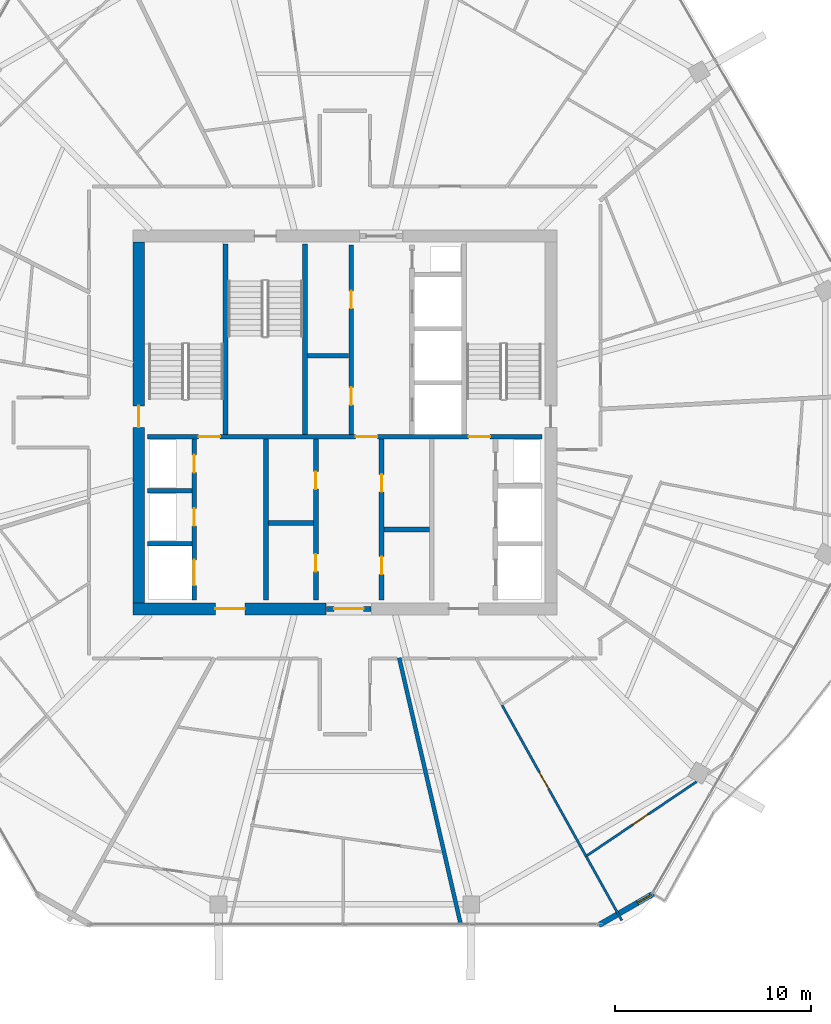
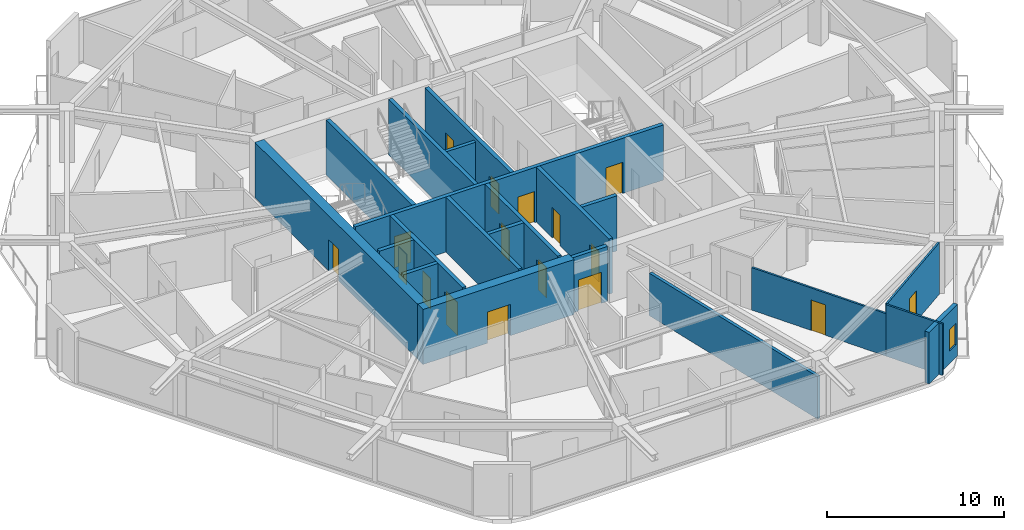
# One storey, part 19 of 26: 21 walls, 17 doors, 1 window, 18 openings.
"""IFC4 building model written with IfcOpenShell, lengths in metres."""

import ifcopenshell
import ifcopenshell.guid

model = None  # the IFC model being written
_history = None  # IfcOwnerHistory: only IFC2X3 demands one
_inside = {}  # id of a spatial element -> (the spatial element, [elements in it])
_under = {}  # id of a project, library or spatial element -> (it, [spatial elements below it])
_declared = {}  # id of a project -> (the project, [libraries it declares])
_typed = {}  # id of a type object -> (the type object, [elements of that type])
_made_of = {}  # id of a material, layer set ... -> (it, [elements and type objects made of it])


def new_model(schema):
    """Start an empty IFC model of exactly this schema.

    Asked for "IFC4X3", IfcOpenShell would pick the latest addendum, in which some entities
    have other attributes; the version numbers below select the first issue.
    IFC2X3 requires an IfcOwnerHistory on every rooted entity: one is made here for all.
    """
    global model, _history
    if schema == "IFC4X3":
        model = ifcopenshell.file(schema_version=(4, 3, 0, 0))
    else:
        model = ifcopenshell.file(schema=schema)
    _inside.clear()
    _under.clear()
    _declared.clear()
    _typed.clear()
    _made_of.clear()
    _history = None
    if model.schema == "IFC2X3":
        org = make("IfcOrganization", Name="unknown")
        user = make(
            "IfcPersonAndOrganization",
            ThePerson=make("IfcPerson", FamilyName="unknown"),
            TheOrganization=org,
        )
        app = make(
            "IfcApplication",
            ApplicationDeveloper=org,
            Version="unknown",
            ApplicationFullName="unknown",
            ApplicationIdentifier="unknown",
        )
        _history = make(
            "IfcOwnerHistory",
            OwningUser=user,
            OwningApplication=app,
            ChangeAction="ADDED",
            CreationDate=0,
        )
    return model


def make(cls, **values):
    """One entity of the class cls with the attributes given. An attribute that is None is left unset."""
    return model.create_entity(
        cls, **{name: value for name, value in values.items() if value is not None}
    )


def rooted(cls, **values):
    """An entity with a GlobalId (a new one), such as an element, a storey or a relation."""
    return make(cls, GlobalId=ifcopenshell.guid.new(), OwnerHistory=_history, **values)


def si_unit(unit_type, name, prefix=None):
    """IfcSIUnit, for example si_unit("LENGTHUNIT", "METRE", prefix="MILLI")."""
    return make("IfcSIUnit", UnitType=unit_type, Prefix=prefix, Name=name)


def assignment(units):
    """IfcUnitAssignment: the units of a project."""
    return None if units is None else make("IfcUnitAssignment", Units=units)


def point(xyz):
    """IfcCartesianPoint."""
    return None if xyz is None else make("IfcCartesianPoint", Coordinates=xyz)


def direction(xyz):
    """IfcDirection."""
    return None if xyz is None else make("IfcDirection", DirectionRatios=xyz)


def frame(location, z_axis=None, x_axis=None):
    """IfcAxis2Placement3D, a coordinate frame: its origin and axes. An axis left out is left unset."""
    return make(
        "IfcAxis2Placement3D",
        Location=point(location),
        Axis=direction(z_axis),
        RefDirection=direction(x_axis),
    )


def frame_2d(location, x_axis=None):
    """IfcAxis2Placement2D, a coordinate frame in the plane: its origin and x axis."""
    return make(
        "IfcAxis2Placement2D", Location=point(location), RefDirection=direction(x_axis)
    )


def origin():
    """The frame at (0, 0, 0) with its axes left unset."""
    return frame((0.0, 0.0, 0.0))


def place(relative_to, where):
    """IfcLocalPlacement: puts the frame where relative to a parent placement (None: the world)."""
    return make(
        "IfcLocalPlacement", PlacementRelTo=relative_to, RelativePlacement=where
    )


def context(
    kind, dimensions, precision=None, world=None, true_north=None, identifier=None
):
    """IfcGeometricRepresentationContext, for example the 3D "Model" context."""
    return make(
        "IfcGeometricRepresentationContext",
        ContextIdentifier=identifier,
        ContextType=kind,
        CoordinateSpaceDimension=dimensions,
        Precision=precision,
        WorldCoordinateSystem=world,
        TrueNorth=true_north,
    )


def subcontext(parent, identifier, kind, view, scale=None):
    """IfcGeometricRepresentationSubContext, for example "Body" below "Model"."""
    return make(
        "IfcGeometricRepresentationSubContext",
        ContextIdentifier=identifier,
        ContextType=kind,
        ParentContext=parent,
        TargetScale=scale,
        TargetView=view,
    )


def project(units=None, contexts=None):
    """IfcProject with its units and contexts."""
    return rooted(
        "IfcProject",
        Name="project",
        RepresentationContexts=contexts,
        UnitsInContext=assignment(units),
    )


def spatial(cls, under=None, at=None, **own):
    """A site, building, storey or space (cls), placed at a placement, below another one or the project."""
    s = rooted(cls, ObjectPlacement=at, **own)
    if under is not None:
        _under.setdefault(under.id(), (under, []))[1].append(s)
    return s


def profile(cls, at=None, kind="AREA", **sizes):
    """A parametric profile (cls). Its sizes go by their IFC names, for example OverallWidth=200.0."""
    return make(cls, ProfileType=kind, Position=at, **sizes)


def rectangle(**sizes):
    """IfcRectangleProfileDef."""
    return profile("IfcRectangleProfileDef", **sizes)


def extrude(swept, where, along, depth):
    """IfcExtrudedAreaSolid: the profile swept, set in the frame where, extruded along a direction by depth."""
    return make(
        "IfcExtrudedAreaSolid",
        SweptArea=swept,
        Position=where,
        ExtrudedDirection=direction(along),
        Depth=depth,
    )


def shape(context_of_items, identifier, shape_type, items):
    """IfcShapeRepresentation: the items that make up one representation, for example the "Body"."""
    return make(
        "IfcShapeRepresentation",
        ContextOfItems=context_of_items,
        RepresentationIdentifier=identifier,
        RepresentationType=shape_type,
        Items=items,
    )


def material(Name=None, Category=None):
    """IfcMaterial."""
    return make("IfcMaterial", Name=Name, Category=Category)


def layer(
    of_material, thickness, ventilated=None, Name=None, Category=None, Priority=None
):
    """IfcMaterialLayer: one layer of a wall or slab, of a material (None: an air gap)."""
    return make(
        "IfcMaterialLayer",
        Material=of_material,
        LayerThickness=thickness,
        IsVentilated=ventilated,
        Name=Name,
        Category=Category,
        Priority=Priority,
    )


def layer_set(layers, Name=None):
    """IfcMaterialLayerSet."""
    return make("IfcMaterialLayerSet", MaterialLayers=layers, LayerSetName=Name)


def made_of(thing, what):
    """Note that an element or type object is made of a material, layer set ...; save() writes the relation."""
    if what is not None:
        _made_of.setdefault(what.id(), (what, []))[1].append(thing)
    return thing


def type_object(cls, material=None, **own):
    """A type object (cls), such as IfcWallType, which elements share."""
    return made_of(rooted(cls, **own), material)


def element(
    cls,
    number,
    at=None,
    inside=None,
    cuts=None,
    type_object=None,
    material=None,
    context=None,
    identifier="Body",
    shape_type=None,
    held_by="IfcProductDefinitionShape",
    body=None,
    shapes=None,
    **own,
):
    """One element of the class cls, such as IfcWall. Its Tag is "e" and its number.

    at: its placement. inside: the storey or other place that contains it. cuts: it is an
    opening in that element (IfcRelVoidsElement). A single representation is given by context,
    identifier, shape_type and body (its items); several are given by shapes. held_by: the class
    of the entity that holds the representations. save() writes the other relations.
    """
    e = rooted(cls, Tag="e%d" % number, ObjectPlacement=at, **own)
    if body is not None:
        shapes = [shape(context, identifier, shape_type, body)]
    if shapes is not None:
        e.Representation = make(held_by, Representations=shapes)
    if inside is not None:
        _inside.setdefault(inside.id(), (inside, []))[1].append(e)
    if cuts is not None:
        rooted(
            "IfcRelVoidsElement", RelatingBuildingElement=cuts, RelatedOpeningElement=e
        )
    if type_object is not None:
        _typed.setdefault(type_object.id(), (type_object, []))[1].append(e)
    return made_of(e, material)


def fill(opening, filler):
    """IfcRelFillsElement: the door or window that sits in an opening."""
    return rooted(
        "IfcRelFillsElement",
        RelatingOpeningElement=opening,
        RelatedBuildingElement=filler,
    )


def aggregate(whole, parts):
    """IfcRelAggregates: a whole, such as a stair, and the parts it consists of."""
    return rooted("IfcRelAggregates", RelatingObject=whole, RelatedObjects=parts)


def save(model, path):
    """Write the relations noted so far, then the file.

    IfcRelAggregates (storeys below a building ...), IfcRelContainedInSpatialStructure (elements
    in a storey), IfcRelDefinesByType, IfcRelAssociatesMaterial and IfcRelDeclares: one each for
    every whole, place, type object, material and project.
    """
    for whole, parts in _under.values():
        aggregate(whole, parts)
    for where, things in _inside.values():
        rooted(
            "IfcRelContainedInSpatialStructure",
            RelatedElements=things,
            RelatingStructure=where,
        )
    for kind, things in _typed.values():
        rooted("IfcRelDefinesByType", RelatedObjects=things, RelatingType=kind)
    for what, things in _made_of.values():
        rooted("IfcRelAssociatesMaterial", RelatedObjects=things, RelatingMaterial=what)
    for by, libraries in _declared.values():
        rooted("IfcRelDeclares", RelatingContext=by, RelatedDefinitions=libraries)
    model.write(path)


model = new_model("IFC4")

# Units and contexts
model_context = context("Model", 3, precision=1e-05, world=origin(), true_north=direction((0.0, 1.0)))
body_context = subcontext(model_context, "Body", "Model", "MODEL_VIEW")
ifc_project = project(units=[si_unit("LENGTHUNIT", "METRE"), si_unit("AREAUNIT", "SQUARE_METRE"), si_unit("VOLUMEUNIT", "CUBIC_METRE"), si_unit("PLANEANGLEUNIT", "RADIAN"), si_unit("MASSUNIT", "GRAM", prefix="KILO")], contexts=[model_context])

# Site, building, storey
site_placement = place(None, origin())
site = spatial("IfcSite", under=ifc_project, at=site_placement, CompositionType="ELEMENT")
building_placement = place(site_placement, origin())
building = spatial("IfcBuilding", under=site, at=building_placement, Name="Zuhravey Tower", CompositionType="ELEMENT")
storey_placement = place(building_placement, frame((0.0, 0.0, 280.60009765625)))
storey = spatial("IfcBuildingStorey", under=building, at=storey_placement, Name="L71", CompositionType="ELEMENT", Elevation=280.60009765625)

# Wall, opening, door
ifc_material_1 = material(Name="Concrete C50/60", Category="concrete")
ifc_layer_1 = layer(ifc_material_1, 0.60009765625)
ifc_layer_set_1 = layer_set([ifc_layer_1], Name="Concrete C50/60")
wall_type_1 = type_object("IfcWallType", Name="Core Shear Wall 600", PredefinedType="SHEAR", material=ifc_layer_set_1)
wall_1_placement = place(storey_placement, frame((25.199951171875, 22.5, 0.0), z_axis=(0.0, 0.0, 1.0), x_axis=(1.0, 0.0, 0.0)))
wall_1 = element("IfcWall", 1, at=wall_1_placement, inside=storey, type_object=wall_type_1, Name="L71 South-West Core Shear Wall CW60", PredefinedType="SHEAR", context=body_context, shape_type="SweptSolid", body=[
    extrude(rectangle(XDim=9.85009765625, YDim=0.60009765625, at=frame_2d((4.925048828125, 0.0))), origin(), (0.0, 0.0, 1.0), 3.7998046875),
])
opening_1_placement = place(wall_1_placement, frame((4.199951171875, 0.0, 0.0)))
opening_1 = element("IfcOpeningElement", 2, at=opening_1_placement, cuts=wall_1, Name="Opening FFD1", PredefinedType="OPENING", context=body_context, shape_type="SweptSolid", body=[
    extrude(rectangle(XDim=1.5, YDim=2.14990234375, at=frame_2d((0.75, 1.074951171875))), frame((0.0, 0.31201171875, 0.0), z_axis=(0.0, -1.0, 0.0), x_axis=(1.0, 0.0, 0.0)), (0.0, 0.0, 1.0), 0.6240234375),
])
ifc_material_2 = material(Name="Galvanised fire-rated steel leaf", Category="steel")
door_type_1 = type_object("IfcDoorType", Name="Firefighting Lobby Double Door 1500x2150", OperationType="DOUBLE_DOOR_SINGLE_SWING", PredefinedType="DOOR", material=ifc_material_2)
door_1_placement = place(opening_1_placement, origin())
door_1 = element("IfcDoor", 3, at=door_1_placement, inside=storey, type_object=door_type_1, Name="L71 Firefighting Lobby West Door", OperationType="DOUBLE_DOOR_SINGLE_SWING", OverallHeight=2.14990234375, OverallWidth=1.5, PredefinedType="DOOR", context=body_context, shape_type="SweptSolid", body=[
    extrude(rectangle(XDim=1.5, YDim=2.14990234375, at=frame_2d((0.75, 1.074951171875))), frame((0.0, 0.02490234375, 0.0), z_axis=(0.0, -1.0, 0.0), x_axis=(1.0, 0.0, 0.0)), (0.0, 0.0, 1.0), 0.050048828125),
])
fill(opening_1, door_1)

wall_2_placement = place(storey_placement, frame((25.5, 22.800048828125, 0.0), z_axis=(0.0, 0.0, 1.0), x_axis=(0.0, 1.0, 0.0)))
wall_2 = element("IfcWall", 4, at=wall_2_placement, inside=storey, type_object=wall_type_1, Name="L71 West Core Shear Wall CW60", PredefinedType="SHEAR", context=body_context, shape_type="SweptSolid", body=[
    extrude(rectangle(XDim=18.39990234375, YDim=0.60009765625, at=frame_2d((9.199951171875, 0.0))), origin(), (0.0, 0.0, 1.0), 3.7998046875),
])
opening_2_placement = place(wall_2_placement, frame((8.949951171875, 0.0, 0.0)))
opening_2 = element("IfcOpeningElement", 5, at=opening_2_placement, cuts=wall_2, Name="Opening STD1", PredefinedType="OPENING", context=body_context, shape_type="SweptSolid", body=[
    extrude(rectangle(XDim=1.10009765625, YDim=2.14990234375, at=frame_2d((0.550048828125, 1.074951171875))), frame((0.0, 0.31201171875, 0.0), z_axis=(0.0, -1.0, 0.0), x_axis=(1.0, 0.0, 0.0)), (0.0, 0.0, 1.0), 0.6240234375),
])
door_type_2 = type_object("IfcDoorType", Name="Protected Stair Fire Door 1100x2150", OperationType="NOTDEFINED", PredefinedType="USERDEFINED", material=ifc_material_2)
door_2_placement = place(opening_2_placement, frame((1.10009765625, 0.0, 0.0), z_axis=(0.0, 0.0, 1.0), x_axis=(-1.0, 0.0, 0.0)))
door_2 = element("IfcDoor", 6, at=door_2_placement, inside=storey, type_object=door_type_2, Name="L71 Stair ST1 Door", ObjectType="EXITDOOR", OperationType="SINGLE_SWING_LEFT", OverallHeight=2.14990234375, OverallWidth=1.10009765625, PredefinedType="USERDEFINED", context=body_context, shape_type="SweptSolid", body=[
    extrude(rectangle(XDim=1.10009765625, YDim=2.14990234375, at=frame_2d((0.550048828125, 1.074951171875))), frame((0.0, 0.02490234375, 0.0), z_axis=(0.0, -1.0, 0.0), x_axis=(1.0, 0.0, 0.0)), (0.0, 0.0, 1.0), 0.050048828125),
])
fill(opening_2, door_2)

# Wall, opening, window
ifc_material_3 = material(Name="Precast concrete C40/50", Category="concrete")
ifc_layer_2 = layer(ifc_material_3, 0.280029296875)
ifc_layer_set_2 = layer_set([ifc_layer_2], Name="Precast concrete C40/50")
wall_type_2 = type_object("IfcWallType", Name="Crown Architectural Wall 280", PredefinedType="SOLIDWALL", material=ifc_layer_set_2)
wall_3_placement = place(storey_placement, frame((51.714599609375, 7.996337890625, 0.0), z_axis=(0.0, 0.0, 1.0), x_axis=(-0.866028773314, -0.499994163758, 0.0)))
wall_3 = element("IfcWall", 7, at=wall_3_placement, inside=storey, type_object=wall_type_2, Name="L71 Rounded Corner Closure Wall EW28-02", PredefinedType="SOLIDWALL", context=body_context, shape_type="SweptSolid", body=[
    extrude(rectangle(XDim=3.21484375, YDim=0.280029296875, at=frame_2d((1.607421875, 0.0))), origin(), (0.0, 0.0, 1.0), 3.5498046875),
])
opening_3_placement = place(wall_3_placement, frame((0.17578125, 0.0, 0.85009765625)))
opening_3 = element("IfcOpeningElement", 8, at=opening_3_placement, cuts=wall_3, Name="Opening WN5", PredefinedType="OPENING", context=body_context, shape_type="SweptSolid", body=[
    extrude(rectangle(XDim=0.75, YDim=1.5, at=frame_2d((0.375, 0.75))), frame((0.0, 0.152099609375, 0.0), z_axis=(0.0, -1.0, 0.0), x_axis=(1.0, 0.0, 0.0)), (0.0, 0.0, 1.0), 0.303955078125),
])
ifc_material_4 = material(Name="Thermally broken aluminium and triple low-E glass", Category="aluminium")
window_type = type_object("IfcWindowType", Name="Residential Corner Casement Window 750x1500", PartitioningType="SINGLE_PANEL", PredefinedType="WINDOW", material=ifc_material_4)
window_placement = place(opening_3_placement, origin())
window = element("IfcWindow", 9, at=window_placement, inside=storey, type_object=window_type, Name="L71 Corner Casement Window WN5-02.1", OverallHeight=1.5, OverallWidth=0.75, PartitioningType="SINGLE_PANEL", PredefinedType="WINDOW", context=body_context, shape_type="SweptSolid", body=[
    extrude(rectangle(XDim=0.75, YDim=1.5, at=frame_2d((0.375, 0.75))), frame((0.0, 0.030029296875, 0.0), z_axis=(0.0, -1.0, 0.0), x_axis=(1.0, 0.0, 0.0)), (0.0, 0.0, 1.0), 0.06005859375),
])
fill(opening_3, window)

# Wall, opening, door
ifc_layer_3 = layer(ifc_material_1, 0.25)
ifc_layer_set_3 = layer_set([ifc_layer_3], Name="Concrete C50/60")
wall_type_3 = type_object("IfcWallType", Name="Firefighting Shaft & Stair Wall 250", PredefinedType="SOLIDWALL", material=ifc_layer_set_3)
wall_4_placement = place(storey_placement, frame((35.06005859375, 22.5, 0.0), z_axis=(0.0, 0.0, 1.0), x_axis=(1.0, 0.0, 0.0)))
wall_4 = element("IfcWall", 10, at=wall_4_placement, inside=storey, type_object=wall_type_3, Name="L71 FW25 Shaft Wall 001", PredefinedType="SOLIDWALL", context=body_context, shape_type="SweptSolid", body=[
    extrude(rectangle(XDim=2.280029296875, YDim=0.25, at=frame_2d((1.14013671875, 0.0))), origin(), (0.0, 0.0, 1.0), 3.7998046875),
])
opening_4_placement = place(wall_4_placement, frame((0.389892578125, 0.0, 0.0)))
opening_4 = element("IfcOpeningElement", 11, at=opening_4_placement, cuts=wall_4, Name="Opening FFD1", PredefinedType="OPENING", context=body_context, shape_type="SweptSolid", body=[
    extrude(rectangle(XDim=1.5, YDim=2.14990234375, at=frame_2d((0.75, 1.074951171875))), frame((0.0, 0.136962890625, 0.0), z_axis=(0.0, -1.0, 0.0), x_axis=(1.0, 0.0, 0.0)), (0.0, 0.0, 1.0), 0.27392578125),
])
door_3_placement = place(opening_4_placement, frame((1.5, 0.0, 0.0), z_axis=(0.0, 0.0, 1.0), x_axis=(-1.0, 0.0, 0.0)))
door_3 = element("IfcDoor", 12, at=door_3_placement, inside=storey, type_object=door_type_1, Name="L71 South Lift Lobby Exit Door", OperationType="DOUBLE_DOOR_SINGLE_SWING", OverallHeight=2.14990234375, OverallWidth=1.5, PredefinedType="DOOR", context=body_context, shape_type="SweptSolid", body=[
    extrude(rectangle(XDim=1.5, YDim=2.14990234375, at=frame_2d((0.75, 1.074951171875))), frame((0.0, 0.02490234375, 0.0), z_axis=(0.0, -1.0, 0.0), x_axis=(1.0, 0.0, 0.0)), (0.0, 0.0, 1.0), 0.050048828125),
])
fill(opening_4, door_3)

# Wall, openings, doors
wall_5_placement = place(storey_placement, frame((25.949951171875, 31.27490234375, 0.0), z_axis=(0.0, 0.0, 1.0), x_axis=(1.0, 0.0, 0.0)))
wall_5 = element("IfcWall", 13, at=wall_5_placement, inside=storey, type_object=wall_type_3, Name="L71 FW25 Shaft Wall 003", PredefinedType="SOLIDWALL", context=body_context, shape_type="SweptSolid", body=[
    extrude(rectangle(XDim=20.10009765625, YDim=0.25, at=frame_2d((10.050048828125, 0.0))), origin(), (0.0, 0.0, 1.0), 3.7998046875),
])
opening_5_placement = place(wall_5_placement, frame((2.60009765625, 0.0, 0.0)))
opening_5 = element("IfcOpeningElement", 14, at=opening_5_placement, cuts=wall_5, Name="Opening STD1", PredefinedType="OPENING", context=body_context, shape_type="SweptSolid", body=[
    extrude(rectangle(XDim=1.10009765625, YDim=2.14990234375, at=frame_2d((0.550048828125, 1.074951171875))), frame((0.0, 0.136962890625, 0.0), z_axis=(0.0, -1.0, 0.0), x_axis=(1.0, 0.0, 0.0)), (0.0, 0.0, 1.0), 0.27392578125),
])
opening_6_placement = place(wall_5_placement, frame((10.60009765625, 0.0, 0.0)))
opening_6 = element("IfcOpeningElement", 15, at=opening_6_placement, cuts=wall_5, Name="Opening STD1", PredefinedType="OPENING", context=body_context, shape_type="SweptSolid", body=[
    extrude(rectangle(XDim=1.10009765625, YDim=2.14990234375, at=frame_2d((0.550048828125, 1.074951171875))), frame((0.0, 0.136962890625, 0.0), z_axis=(0.0, -1.0, 0.0), x_axis=(1.0, 0.0, 0.0)), (0.0, 0.0, 1.0), 0.27392578125),
])
opening_7_placement = place(wall_5_placement, frame((16.35009765625, 0.0, 0.0)))
opening_7 = element("IfcOpeningElement", 16, at=opening_7_placement, cuts=wall_5, Name="Opening STD1", PredefinedType="OPENING", context=body_context, shape_type="SweptSolid", body=[
    extrude(rectangle(XDim=1.10009765625, YDim=2.14990234375, at=frame_2d((0.550048828125, 1.074951171875))), frame((0.0, 0.136962890625, 0.0), z_axis=(0.0, -1.0, 0.0), x_axis=(1.0, 0.0, 0.0)), (0.0, 0.0, 1.0), 0.27392578125),
])
door_4_placement = place(opening_5_placement, origin())
door_4 = element("IfcDoor", 17, at=door_4_placement, inside=storey, type_object=door_type_2, Name="L71 FFL-W to ST1 Door", ObjectType="EXITDOOR", OperationType="SINGLE_SWING_RIGHT", OverallHeight=2.14990234375, OverallWidth=1.10009765625, PredefinedType="USERDEFINED", context=body_context, shape_type="SweptSolid", body=[
    extrude(rectangle(XDim=1.10009765625, YDim=2.14990234375, at=frame_2d((0.550048828125, 1.074951171875))), frame((0.0, 0.02490234375, 0.0), z_axis=(0.0, -1.0, 0.0), x_axis=(1.0, 0.0, 0.0)), (0.0, 0.0, 1.0), 0.050048828125),
])
fill(opening_5, door_4)
door_5_placement = place(opening_6_placement, origin())
door_5 = element("IfcDoor", 18, at=door_5_placement, inside=storey, type_object=door_type_2, Name="L71 Core Lobby Link Door", ObjectType="EXITDOOR", OperationType="SINGLE_SWING_LEFT", OverallHeight=2.14990234375, OverallWidth=1.10009765625, PredefinedType="USERDEFINED", context=body_context, shape_type="SweptSolid", body=[
    extrude(rectangle(XDim=1.10009765625, YDim=2.14990234375, at=frame_2d((0.550048828125, 1.074951171875))), frame((0.0, 0.02490234375, 0.0), z_axis=(0.0, -1.0, 0.0), x_axis=(1.0, 0.0, 0.0)), (0.0, 0.0, 1.0), 0.050048828125),
])
fill(opening_6, door_5)
door_6_placement = place(opening_7_placement, origin())
door_6 = element("IfcDoor", 19, at=door_6_placement, inside=storey, type_object=door_type_2, Name="L71 FFL-E to ST2 Door", ObjectType="EXITDOOR", OperationType="SINGLE_SWING_RIGHT", OverallHeight=2.14990234375, OverallWidth=1.10009765625, PredefinedType="USERDEFINED", context=body_context, shape_type="SweptSolid", body=[
    extrude(rectangle(XDim=1.10009765625, YDim=2.14990234375, at=frame_2d((0.550048828125, 1.074951171875))), frame((0.0, 0.02490234375, 0.0), z_axis=(0.0, -1.0, 0.0), x_axis=(1.0, 0.0, 0.0)), (0.0, 0.0, 1.0), 0.050048828125),
])
fill(opening_7, door_6)

# Walls
for number, where, z_axis, x_axis, name in (
    (20, (29.925048828125, 31.39990234375, 0.0), (0.0, 0.0, 1.0), (0.0, 1.0, 0.0), "L71 FW25 Shaft Wall 004"),
    (21, (33.97509765625, 31.39990234375, 0.0), (0.0, 0.0, 1.0), (0.0, 1.0, 0.0), "L71 FW25 Shaft Wall 005"),
):
    element("IfcWall", number, at=place(storey_placement, frame(where, z_axis=z_axis, x_axis=x_axis)), inside=storey, type_object=wall_type_3, Name=name, PredefinedType="SOLIDWALL", context=body_context, shape_type="SweptSolid", body=[
        extrude(rectangle(XDim=9.7001953125, YDim=0.25, at=frame_2d((4.85009765625, 0.0))), origin(), (0.0, 0.0, 1.0), 3.7998046875),
    ])

# Wall, openings, doors
wall_6_placement = place(storey_placement, frame((36.324951171875, 31.39990234375, 0.0), z_axis=(0.0, 0.0, 1.0), x_axis=(0.0, 1.0, 0.0)))
wall_6 = element("IfcWall", 22, at=wall_6_placement, inside=storey, type_object=wall_type_3, Name="L71 FW25 Shaft Wall 007", PredefinedType="SOLIDWALL", context=body_context, shape_type="SweptSolid", body=[
    extrude(rectangle(XDim=9.650146484375, YDim=0.25, at=frame_2d((4.8251953125, 0.0))), origin(), (0.0, 0.0, 1.0), 3.7998046875),
])
opening_8_placement = place(wall_6_placement, frame((1.489990234375, 0.0, 0.0)))
opening_8 = element("IfcOpeningElement", 23, at=opening_8_placement, cuts=wall_6, Name="Opening RSD1", PredefinedType="OPENING", context=body_context, shape_type="SweptSolid", body=[
    extrude(rectangle(XDim=0.89990234375, YDim=2.10009765625, at=frame_2d((0.449951171875, 1.050048828125))), frame((0.0, 0.136962890625, 0.0), z_axis=(0.0, -1.0, 0.0), x_axis=(1.0, 0.0, 0.0)), (0.0, 0.0, 1.0), 0.27392578125),
])
opening_9_placement = place(wall_6_placement, frame((6.409912109375, 0.0, 0.0)))
opening_9 = element("IfcOpeningElement", 24, at=opening_9_placement, cuts=wall_6, Name="Opening RSD1", PredefinedType="OPENING", context=body_context, shape_type="SweptSolid", body=[
    extrude(rectangle(XDim=0.89990234375, YDim=2.10009765625, at=frame_2d((0.449951171875, 1.050048828125))), frame((0.0, 0.136962890625, 0.0), z_axis=(0.0, -1.0, 0.0), x_axis=(1.0, 0.0, 0.0)), (0.0, 0.0, 1.0), 0.27392578125),
])
ifc_material_5 = material(Name="Galvanised fire-rated steel access leaf", Category="steel")
door_type_3 = type_object("IfcDoorType", Name="Riser & Shaft Access Fire Door 900x2100", OperationType="NOTDEFINED", PredefinedType="DOOR", material=ifc_material_5)
door_7_placement = place(opening_8_placement, origin())
door_7 = element("IfcDoor", 25, at=door_7_placement, inside=storey, type_object=door_type_3, Name="L71 Core Cleaner Store Door", OperationType="SINGLE_SWING_LEFT", OverallHeight=2.10009765625, OverallWidth=0.89990234375, PredefinedType="DOOR", context=body_context, shape_type="SweptSolid", body=[
    extrude(rectangle(XDim=0.89990234375, YDim=2.10009765625, at=frame_2d((0.449951171875, 1.050048828125))), frame((0.0, 0.02490234375, 0.0), z_axis=(0.0, -1.0, 0.0), x_axis=(1.0, 0.0, 0.0)), (0.0, 0.0, 1.0), 0.050048828125),
])
fill(opening_8, door_7)
door_8_placement = place(opening_9_placement, origin())
door_8 = element("IfcDoor", 26, at=door_8_placement, inside=storey, type_object=door_type_3, Name="L71 Core Pantry and Tea Room Door", OperationType="SINGLE_SWING_RIGHT", OverallHeight=2.10009765625, OverallWidth=0.89990234375, PredefinedType="DOOR", context=body_context, shape_type="SweptSolid", body=[
    extrude(rectangle(XDim=0.89990234375, YDim=2.10009765625, at=frame_2d((0.449951171875, 1.050048828125))), frame((0.0, 0.02490234375, 0.0), z_axis=(0.0, -1.0, 0.0), x_axis=(1.0, 0.0, 0.0)), (0.0, 0.0, 1.0), 0.050048828125),
])
fill(opening_9, door_8)

# Walls
for number, where, z_axis, x_axis, name in (
    (27, (25.949951171875, 25.824951171875, 0.0), (0.0, 0.0, 1.0), (1.0, 0.0, 0.0), "L71 FW25 Shaft Wall 009"),
    (28, (25.949951171875, 28.52490234375, 0.0), (0.0, 0.0, 1.0), (1.0, 0.0, 0.0), "L71 FW25 Shaft Wall 010"),
):
    element("IfcWall", number, at=place(storey_placement, frame(where, z_axis=z_axis, x_axis=x_axis)), inside=storey, type_object=wall_type_3, Name=name, PredefinedType="SOLIDWALL", context=body_context, shape_type="SweptSolid", body=[
        extrude(rectangle(XDim=2.25, YDim=0.25, at=frame_2d((1.125, 0.0))), origin(), (0.0, 0.0, 1.0), 3.7998046875),
    ])

# Wall, openings, doors
wall_7_placement = place(storey_placement, frame((28.324951171875, 22.949951171875, 0.0), z_axis=(0.0, 0.0, 1.0), x_axis=(0.0, 1.0, 0.0)))
wall_7 = element("IfcWall", 29, at=wall_7_placement, inside=storey, type_object=wall_type_3, Name="L71 FW25 Shaft Wall 011", PredefinedType="SOLIDWALL", context=body_context, shape_type="SweptSolid", body=[
    extrude(rectangle(XDim=8.199951171875, YDim=0.25, at=frame_2d((4.10009765625, 0.0))), origin(), (0.0, 0.0, 1.0), 3.7998046875),
])
opening_10_placement = place(wall_7_placement, frame((0.75, 0.0, 0.0)))
opening_10 = element("IfcOpeningElement", 30, at=opening_10_placement, cuts=wall_7, Name="Opening LD2", PredefinedType="OPENING", context=body_context, shape_type="SweptSolid", body=[
    extrude(rectangle(XDim=1.300048828125, YDim=2.300048828125, at=frame_2d((0.64990234375, 1.14990234375))), frame((0.0, 0.136962890625, 0.0), z_axis=(0.0, -1.0, 0.0), x_axis=(1.0, 0.0, 0.0)), (0.0, 0.0, 1.0), 0.27392578125),
])
opening_11_placement = place(wall_7_placement, frame((3.780029296875, 0.0, 0.0)))
opening_11 = element("IfcOpeningElement", 31, at=opening_11_placement, cuts=wall_7, Name="Opening RSD1", PredefinedType="OPENING", context=body_context, shape_type="SweptSolid", body=[
    extrude(rectangle(XDim=0.89990234375, YDim=2.10009765625, at=frame_2d((0.449951171875, 1.050048828125))), frame((0.0, 0.136962890625, 0.0), z_axis=(0.0, -1.0, 0.0), x_axis=(1.0, 0.0, 0.0)), (0.0, 0.0, 1.0), 0.27392578125),
])
opening_12_placement = place(wall_7_placement, frame((6.5, 0.0, 0.0)))
opening_12 = element("IfcOpeningElement", 32, at=opening_12_placement, cuts=wall_7, Name="Opening RSD1", PredefinedType="OPENING", context=body_context, shape_type="SweptSolid", body=[
    extrude(rectangle(XDim=0.89990234375, YDim=2.10009765625, at=frame_2d((0.449951171875, 1.050048828125))), frame((0.0, 0.136962890625, 0.0), z_axis=(0.0, -1.0, 0.0), x_axis=(1.0, 0.0, 0.0)), (0.0, 0.0, 1.0), 0.27392578125),
])
ifc_material_6 = material(Name="Brushed stainless steel", Category="steel")
door_type_4 = type_object("IfcDoorType", Name="Freight & Stretcher Lift Sliding Door 1300x2300", OperationType="DOUBLE_DOOR_SLIDING", PredefinedType="DOOR", material=ifc_material_6)
door_9_placement = place(opening_10_placement, frame((1.300048828125, 0.0, 0.0), z_axis=(0.0, 0.0, 1.0), x_axis=(-1.0, 0.0, 0.0)))
door_9 = element("IfcDoor", 33, at=door_9_placement, inside=storey, type_object=door_type_4, Name="L71 Lift FF1 Landing Door", OperationType="DOUBLE_DOOR_SLIDING", OverallHeight=2.300048828125, OverallWidth=1.300048828125, PredefinedType="DOOR", context=body_context, shape_type="SweptSolid", body=[
    extrude(rectangle(XDim=1.300048828125, YDim=2.300048828125, at=frame_2d((0.64990234375, 1.14990234375))), frame((0.0, 0.02490234375, 0.0), z_axis=(0.0, -1.0, 0.0), x_axis=(1.0, 0.0, 0.0)), (0.0, 0.0, 1.0), 0.050048828125),
])
fill(opening_10, door_9)
door_10_placement = place(opening_11_placement, frame((0.89990234375, 0.0, 0.0), z_axis=(0.0, 0.0, 1.0), x_axis=(-1.0, 0.0, 0.0)))
door_10 = element("IfcDoor", 34, at=door_10_placement, inside=storey, type_object=door_type_3, Name="L71 Electrical Riser Door", OperationType="SINGLE_SWING_RIGHT", OverallHeight=2.10009765625, OverallWidth=0.89990234375, PredefinedType="DOOR", context=body_context, shape_type="SweptSolid", body=[
    extrude(rectangle(XDim=0.89990234375, YDim=2.10009765625, at=frame_2d((0.449951171875, 1.050048828125))), frame((0.0, 0.02490234375, 0.0), z_axis=(0.0, -1.0, 0.0), x_axis=(1.0, 0.0, 0.0)), (0.0, 0.0, 1.0), 0.050048828125),
])
fill(opening_11, door_10)
door_11_placement = place(opening_12_placement, frame((0.89990234375, 0.0, 0.0), z_axis=(0.0, 0.0, 1.0), x_axis=(-1.0, 0.0, 0.0)))
door_11 = element("IfcDoor", 35, at=door_11_placement, inside=storey, type_object=door_type_3, Name="L71 Smoke Shaft Access Door", OperationType="SINGLE_SWING_LEFT", OverallHeight=2.10009765625, OverallWidth=0.89990234375, PredefinedType="DOOR", context=body_context, shape_type="SweptSolid", body=[
    extrude(rectangle(XDim=0.89990234375, YDim=2.10009765625, at=frame_2d((0.449951171875, 1.050048828125))), frame((0.0, 0.02490234375, 0.0), z_axis=(0.0, -1.0, 0.0), x_axis=(1.0, 0.0, 0.0)), (0.0, 0.0, 1.0), 0.050048828125),
])
fill(opening_12, door_11)

# Walls
wall_8_placement = place(storey_placement, frame((31.97509765625, 22.949951171875, 0.0), z_axis=(0.0, 0.0, 1.0), x_axis=(0.0, 1.0, 0.0)))
element("IfcWall", 36, at=wall_8_placement, inside=storey, type_object=wall_type_3, Name="L71 FW25 Shaft Wall 012", PredefinedType="SOLIDWALL", context=body_context, shape_type="SweptSolid", body=[
    extrude(rectangle(XDim=8.199951171875, YDim=0.25, at=frame_2d((4.10009765625, 0.0))), origin(), (0.0, 0.0, 1.0), 3.7998046875),
])
wall_9_placement = place(storey_placement, frame((32.10009765625, 26.875, 0.0), z_axis=(0.0, 0.0, 1.0), x_axis=(1.0, 0.0, 0.0)))
element("IfcWall", 37, at=wall_9_placement, inside=storey, type_object=wall_type_3, Name="L71 FW25 Shaft Wall 013", PredefinedType="SOLIDWALL", context=body_context, shape_type="SweptSolid", body=[
    extrude(rectangle(XDim=2.2998046875, YDim=0.25, at=frame_2d((1.14990234375, 0.0))), origin(), (0.0, 0.0, 1.0), 3.7998046875),
])

# Wall, openings, doors
wall_10_placement = place(storey_placement, frame((34.52490234375, 22.949951171875, 0.0), z_axis=(0.0, 0.0, 1.0), x_axis=(0.0, 1.0, 0.0)))
wall_10 = element("IfcWall", 38, at=wall_10_placement, inside=storey, type_object=wall_type_3, Name="L71 FW25 Shaft Wall 014", PredefinedType="SOLIDWALL", context=body_context, shape_type="SweptSolid", body=[
    extrude(rectangle(XDim=8.199951171875, YDim=0.25, at=frame_2d((4.10009765625, 0.0))), origin(), (0.0, 0.0, 1.0), 3.7998046875),
])
opening_13_placement = place(wall_10_placement, frame((1.449951171875, 0.0, 0.0)))
opening_13 = element("IfcOpeningElement", 39, at=opening_13_placement, cuts=wall_10, Name="Opening RSD1", PredefinedType="OPENING", context=body_context, shape_type="SweptSolid", body=[
    extrude(rectangle(XDim=0.89990234375, YDim=2.10009765625, at=frame_2d((0.449951171875, 1.050048828125))), frame((0.0, 0.136962890625, 0.0), z_axis=(0.0, -1.0, 0.0), x_axis=(1.0, 0.0, 0.0)), (0.0, 0.0, 1.0), 0.27392578125),
])
opening_14_placement = place(wall_10_placement, frame((5.64990234375, 0.0, 0.0)))
opening_14 = element("IfcOpeningElement", 40, at=opening_14_placement, cuts=wall_10, Name="Opening RSD1", PredefinedType="OPENING", context=body_context, shape_type="SweptSolid", body=[
    extrude(rectangle(XDim=0.89990234375, YDim=2.10009765625, at=frame_2d((0.449951171875, 1.050048828125))), frame((0.0, 0.136962890625, 0.0), z_axis=(0.0, -1.0, 0.0), x_axis=(1.0, 0.0, 0.0)), (0.0, 0.0, 1.0), 0.27392578125),
])
door_12_placement = place(opening_13_placement, origin())
door_12 = element("IfcDoor", 41, at=door_12_placement, inside=storey, type_object=door_type_3, Name="L71 Housekeeping and Linen Room Door", OperationType="SINGLE_SWING_RIGHT", OverallHeight=2.10009765625, OverallWidth=0.89990234375, PredefinedType="DOOR", context=body_context, shape_type="SweptSolid", body=[
    extrude(rectangle(XDim=0.89990234375, YDim=2.10009765625, at=frame_2d((0.449951171875, 1.050048828125))), frame((0.0, 0.02490234375, 0.0), z_axis=(0.0, -1.0, 0.0), x_axis=(1.0, 0.0, 0.0)), (0.0, 0.0, 1.0), 0.050048828125),
])
fill(opening_13, door_12)
door_13_placement = place(opening_14_placement, origin())
door_13 = element("IfcDoor", 42, at=door_13_placement, inside=storey, type_object=door_type_3, Name="L71 Telecoms Switch Closet Door", OperationType="SINGLE_SWING_LEFT", OverallHeight=2.10009765625, OverallWidth=0.89990234375, PredefinedType="DOOR", context=body_context, shape_type="SweptSolid", body=[
    extrude(rectangle(XDim=0.89990234375, YDim=2.10009765625, at=frame_2d((0.449951171875, 1.050048828125))), frame((0.0, 0.02490234375, 0.0), z_axis=(0.0, -1.0, 0.0), x_axis=(1.0, 0.0, 0.0)), (0.0, 0.0, 1.0), 0.050048828125),
])
fill(opening_14, door_13)

# Wall
wall_11_placement = place(storey_placement, frame((38.0, 26.550048828125, 0.0), z_axis=(0.0, 0.0, 1.0), x_axis=(1.0, 0.0, 0.0)))
element("IfcWall", 43, at=wall_11_placement, inside=storey, type_object=wall_type_3, Name="L71 FW25 Shaft Wall 015", PredefinedType="SOLIDWALL", context=body_context, shape_type="SweptSolid", body=[
    extrude(rectangle(XDim=2.300048828125, YDim=0.25, at=frame_2d((1.14990234375, 0.0))), origin(), (0.0, 0.0, 1.0), 3.7998046875),
])

# Wall, openings, doors
wall_12_placement = place(storey_placement, frame((37.875, 22.949951171875, 0.0), z_axis=(0.0, 0.0, 1.0), x_axis=(0.0, 1.0, 0.0)))
wall_12 = element("IfcWall", 44, at=wall_12_placement, inside=storey, type_object=wall_type_3, Name="L71 FW25 Shaft Wall 016", PredefinedType="SOLIDWALL", context=body_context, shape_type="SweptSolid", body=[
    extrude(rectangle(XDim=8.199951171875, YDim=0.25, at=frame_2d((4.10009765625, 0.0))), origin(), (0.0, 0.0, 1.0), 3.7998046875),
])
opening_15_placement = place(wall_12_placement, frame((1.3125, 0.0, 0.0)))
opening_15 = element("IfcOpeningElement", 45, at=opening_15_placement, cuts=wall_12, Name="Opening RSD1", PredefinedType="OPENING", context=body_context, shape_type="SweptSolid", body=[
    extrude(rectangle(XDim=0.89990234375, YDim=2.10009765625, at=frame_2d((0.449951171875, 1.050048828125))), frame((0.0, 0.136962890625, 0.0), z_axis=(0.0, -1.0, 0.0), x_axis=(1.0, 0.0, 0.0)), (0.0, 0.0, 1.0), 0.27392578125),
])
opening_16_placement = place(wall_12_placement, frame((5.512451171875, 0.0, 0.0)))
opening_16 = element("IfcOpeningElement", 46, at=opening_16_placement, cuts=wall_12, Name="Opening RSD1", PredefinedType="OPENING", context=body_context, shape_type="SweptSolid", body=[
    extrude(rectangle(XDim=0.89990234375, YDim=2.10009765625, at=frame_2d((0.449951171875, 1.050048828125))), frame((0.0, 0.136962890625, 0.0), z_axis=(0.0, -1.0, 0.0), x_axis=(1.0, 0.0, 0.0)), (0.0, 0.0, 1.0), 0.27392578125),
])
door_14_placement = place(opening_15_placement, frame((0.89990234375, 0.0, 0.0), z_axis=(0.0, 0.0, 1.0), x_axis=(-1.0, 0.0, 0.0)))
door_14 = element("IfcDoor", 47, at=door_14_placement, inside=storey, type_object=door_type_3, Name="L71 Trunk Store Door", OperationType="SINGLE_SWING_RIGHT", OverallHeight=2.10009765625, OverallWidth=0.89990234375, PredefinedType="DOOR", context=body_context, shape_type="SweptSolid", body=[
    extrude(rectangle(XDim=0.89990234375, YDim=2.10009765625, at=frame_2d((0.449951171875, 1.050048828125))), frame((0.0, 0.02490234375, 0.0), z_axis=(0.0, -1.0, 0.0), x_axis=(1.0, 0.0, 0.0)), (0.0, 0.0, 1.0), 0.050048828125),
])
fill(opening_15, door_14)
door_15_placement = place(opening_16_placement, frame((0.89990234375, 0.0, 0.0), z_axis=(0.0, 0.0, 1.0), x_axis=(-1.0, 0.0, 0.0)))
door_15 = element("IfcDoor", 48, at=door_15_placement, inside=storey, type_object=door_type_3, Name="L71 Fiber Room Door", OperationType="SINGLE_SWING_LEFT", OverallHeight=2.10009765625, OverallWidth=0.89990234375, PredefinedType="DOOR", context=body_context, shape_type="SweptSolid", body=[
    extrude(rectangle(XDim=0.89990234375, YDim=2.10009765625, at=frame_2d((0.449951171875, 1.050048828125))), frame((0.0, 0.02490234375, 0.0), z_axis=(0.0, -1.0, 0.0), x_axis=(1.0, 0.0, 0.0)), (0.0, 0.0, 1.0), 0.050048828125),
])
fill(opening_16, door_15)

# Walls
ifc_material_7 = material(Name="Gypsum double-stud party assembly")
ifc_layer_4 = layer(ifc_material_7, 0.199951171875)
ifc_layer_set_4 = layer_set([ifc_layer_4], Name="Gypsum double-stud party assembly")
wall_type_4 = type_object("IfcWallType", Name="Inter-Tenancy Party Wall 200", PredefinedType="PARTITIONING", material=ifc_layer_set_4)
wall_13_placement = place(storey_placement, frame((38.76806640625, 20.010009765625, 0.0), z_axis=(0.0, 0.0, 1.0), x_axis=(0.224954220799, -0.974369333746, 0.0)))
element("IfcWall", 49, at=wall_13_placement, inside=storey, type_object=wall_type_4, Name="L71 IW20 Partition 085", PredefinedType="PARTITIONING", context=body_context, shape_type="SweptSolid", body=[
    extrude(rectangle(XDim=13.9306640625, YDim=0.199951171875, at=frame_2d((6.96533203125, 0.0))), origin(), (0.0, 0.0, 1.0), 2.929931640625),
])
ifc_material_8 = material(Name="Gypsum acoustic stud assembly")
ifc_layer_5 = layer(ifc_material_8, 0.219970703125)
ifc_layer_set_5 = layer_set([ifc_layer_5], Name="Gypsum acoustic stud assembly")
wall_type_5 = type_object("IfcWallType", Name="School Acoustic Compartment Wall 220", PredefinedType="PARTITIONING", material=ifc_layer_set_5)
wall_14_placement = place(storey_placement, frame((34.10791015625, 35.39990234375, 0.0), z_axis=(0.0, 0.0, 1.0), x_axis=(1.0, 0.0, 0.0)))
element("IfcWall", 50, at=wall_14_placement, inside=storey, type_object=wall_type_5, Name="L71 IW22 Partition 066", PredefinedType="PARTITIONING", context=body_context, shape_type="SweptSolid", body=[
    extrude(rectangle(XDim=2.083984375, YDim=0.219970703125, at=frame_2d((1.0419921875, 0.0))), origin(), (0.0, 0.0, 1.0), 3.5498046875),
])

# Wall, opening, door
ifc_material_9 = material(Name="Gypsum metal-stud partition")
ifc_layer_6 = layer(ifc_material_9, 0.1201171875)
ifc_layer_set_6 = layer_set([ifc_layer_6], Name="Gypsum metal-stud partition")
wall_type_6 = type_object("IfcWallType", Name="Unit Internal Partition 120", PredefinedType="PARTITIONING", material=ifc_layer_set_6)
wall_15_placement = place(storey_placement, frame((44.009521484375, 17.59814453125, 0.0), z_axis=(0.0, 0.0, 1.0), x_axis=(0.486020933701, -0.873947167742, 0.0)))
wall_15 = element("IfcWall", 51, at=wall_15_placement, inside=storey, type_object=wall_type_6, Name="L71 IW12 Partition 040", PredefinedType="PARTITIONING", context=body_context, shape_type="SweptSolid", body=[
    extrude(rectangle(XDim=8.827880859375, YDim=0.1201171875, at=frame_2d((4.4140625, 0.0))), origin(), (0.0, 0.0, 1.0), 2.929931640625),
])
opening_17_placement = place(wall_15_placement, frame((3.913818359375, 0.0, 0.0)))
opening_17 = element("IfcOpeningElement", 52, at=opening_17_placement, cuts=wall_15, Name="Opening IND1", PredefinedType="OPENING", context=body_context, shape_type="SweptSolid", body=[
    extrude(rectangle(XDim=0.949951171875, YDim=2.10009765625, at=frame_2d((0.47509765625, 1.050048828125))), frame((0.0, 0.072021484375, 0.0), z_axis=(0.0, -1.0, 0.0), x_axis=(1.0, 0.0, 0.0)), (0.0, 0.0, 1.0), 0.14404296875),
])
ifc_material_10 = material(Name="Painted engineered timber leaf", Category="wood")
door_type_5 = type_object("IfcDoorType", Name="Internal Room & Bedroom Door 950x2100", OperationType="NOTDEFINED", PredefinedType="DOOR", material=ifc_material_10)
door_16_placement = place(opening_17_placement, origin())
door_16 = element("IfcDoor", 53, at=door_16_placement, inside=storey, type_object=door_type_5, Name="Apartment L71-04 Home Office Door", OperationType="SINGLE_SWING_RIGHT", OverallHeight=2.10009765625, OverallWidth=0.949951171875, PredefinedType="DOOR", context=body_context, shape_type="SweptSolid", body=[
    extrude(rectangle(XDim=0.949951171875, YDim=2.10009765625, at=frame_2d((0.47509765625, 1.050048828125))), frame((0.0, 0.02490234375, 0.0), z_axis=(0.0, -1.0, 0.0), x_axis=(1.0, 0.0, 0.0)), (0.0, 0.0, 1.0), 0.050048828125),
])
fill(opening_17, door_16)

wall_16_placement = place(storey_placement, frame((48.344482421875, 9.943115234375, 0.0), z_axis=(0.0, 0.0, 1.0), x_axis=(0.829047449098, 0.559178260614, 0.0)))
wall_16 = element("IfcWall", 54, at=wall_16_placement, inside=storey, type_object=wall_type_6, Name="L71 IW12 Partition 041", PredefinedType="PARTITIONING", context=body_context, shape_type="SweptSolid", body=[
    extrude(rectangle(XDim=6.718994140625, YDim=0.1201171875, at=frame_2d((3.359375, 0.0))), origin(), (0.0, 0.0, 1.0), 3.5498046875),
])
opening_18_placement = place(wall_16_placement, frame((2.800048828125, 0.0, 0.0)))
opening_18 = element("IfcOpeningElement", 55, at=opening_18_placement, cuts=wall_16, Name="Opening IND1", PredefinedType="OPENING", context=body_context, shape_type="SweptSolid", body=[
    extrude(rectangle(XDim=0.949951171875, YDim=2.10009765625, at=frame_2d((0.47509765625, 1.050048828125))), frame((0.0, 0.072021484375, 0.0), z_axis=(0.0, -1.0, 0.0), x_axis=(1.0, 0.0, 0.0)), (0.0, 0.0, 1.0), 0.14404296875),
])
door_17_placement = place(opening_18_placement, frame((0.949951171875, 0.0, 0.0), z_axis=(0.0, 0.0, 1.0), x_axis=(-1.0, 0.0, 0.0)))
door_17 = element("IfcDoor", 56, at=door_17_placement, inside=storey, type_object=door_type_5, Name="Apartment L71-04 Bedroom 1 Door", OperationType="SINGLE_SWING_LEFT", OverallHeight=2.10009765625, OverallWidth=0.949951171875, PredefinedType="DOOR", context=body_context, shape_type="SweptSolid", body=[
    extrude(rectangle(XDim=0.949951171875, YDim=2.10009765625, at=frame_2d((0.47509765625, 1.050048828125))), frame((0.0, 0.02490234375, 0.0), z_axis=(0.0, -1.0, 0.0), x_axis=(1.0, 0.0, 0.0)), (0.0, 0.0, 1.0), 0.050048828125),
])
fill(opening_18, door_17)

# Wall
wall_17_placement = place(storey_placement, frame((48.300048828125, 9.883056640625, 0.0), z_axis=(0.0, 0.0, 1.0), x_axis=(0.486055789074, -0.873927783005, 0.0)))
element("IfcWall", 57, at=wall_17_placement, inside=storey, type_object=wall_type_6, Name="L71 IW12 Partition 087", PredefinedType="PARTITIONING", context=body_context, shape_type="SweptSolid", body=[
    extrude(rectangle(XDim=3.71484375, YDim=0.1201171875, at=frame_2d((1.857421875, 0.0))), origin(), (0.0, 0.0, 1.0), 3.5498046875),
])

save(model, "model.ifc")
